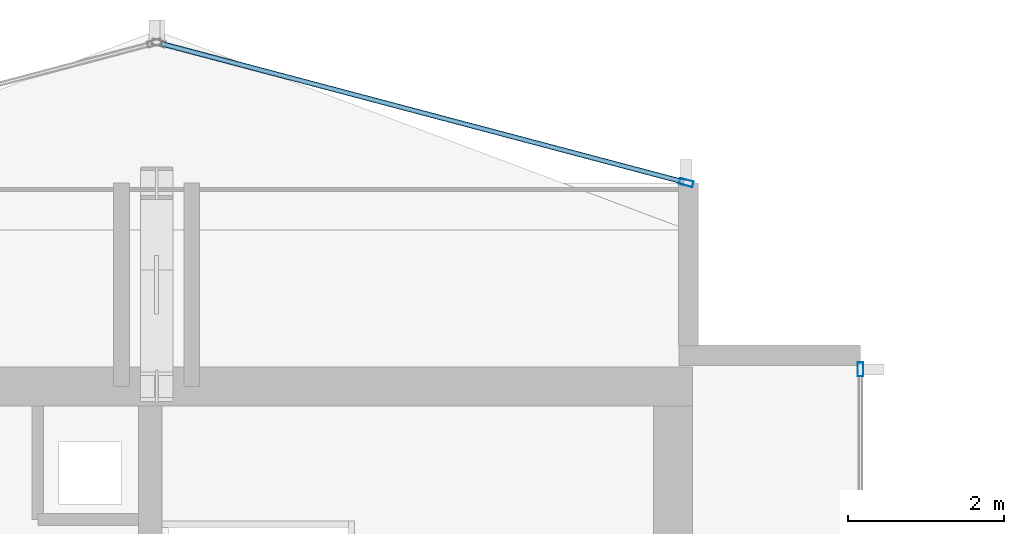
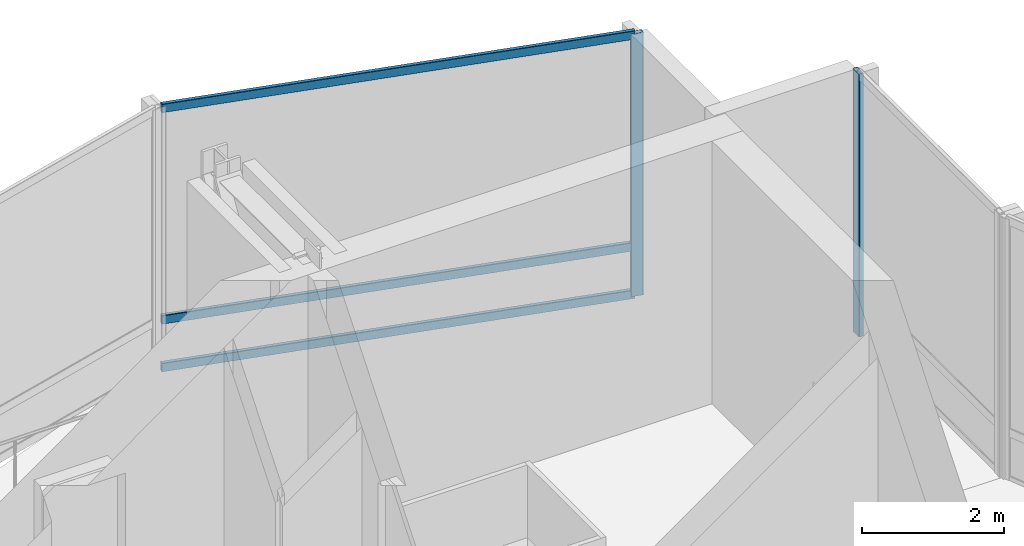
# One storey, part 18 of 30: 5 members, 2 elements without a shape of their own.
"""IFC4 building model written with IfcOpenShell, lengths in metres."""

from ifc_helpers import new_model, si_unit, direction, frame, origin, origin_2d, place, context, subcontext, project, spatial, hollow_rectangle, extrude, material, layer, layer_set, material_profile, profile_set, type_object, element, aggregate, save


model = new_model("IFC4")

# Units and contexts
model_context = context("Model", 3, precision=1e-05, world=origin(), true_north=direction((0.0, 1.0)))
body_context = subcontext(model_context, "Body", "Model", "MODEL_VIEW")
ifc_project = project(units=[si_unit("LENGTHUNIT", "METRE"), si_unit("AREAUNIT", "SQUARE_METRE"), si_unit("VOLUMEUNIT", "CUBIC_METRE"), si_unit("PLANEANGLEUNIT", "RADIAN"), si_unit("MASSUNIT", "GRAM", prefix="KILO")], contexts=[model_context])

# Site, building, storey
site_placement = place(None, origin())
site = spatial("IfcSite", under=ifc_project, at=site_placement, CompositionType="ELEMENT")
building_placement = place(site_placement, origin())
building = spatial("IfcBuilding", under=site, at=building_placement, Name="Solvaryn Broadcast Tower", CompositionType="ELEMENT")
storey_placement = place(building_placement, frame((0.0, 0.0, 196.39990234375)))
storey = spatial("IfcBuildingStorey", under=building, at=storey_placement, Name="L49", CompositionType="ELEMENT", Elevation=196.39990234375)

# Curtain wall, member
ifc_material_1 = material(Name="Aluminium and Terracotta Unitised Curtain Wall", Category="masonry")
ifc_layer = layer(ifc_material_1, 0.199951171875)
ifc_layer_set = layer_set([ifc_layer], Name="CW-SYS2-LOWMID")
curtain_wall_type = type_object("IfcCurtainWallType", Name="CW-SYS2-LOWMID", PredefinedType="NOTDEFINED", material=ifc_layer_set)
curtain_wall_1_placement = place(storey_placement, origin())
curtain_wall_1 = element("IfcCurtainWall", 1, at=curtain_wall_1_placement, inside=storey, type_object=curtain_wall_type, Name="L49 Curtain Wall IV", PredefinedType="NOTDEFINED")
ifc_material_2 = material(Name="Anodised Aluminium 6063-T6", Category="aluminium")
ifc_material_profile_1 = material_profile(ifc_material_2, hollow_rectangle(XDim=0.074951171875, YDim=0.179931640625, WallThickness=0.00390625, InnerFilletRadius=0.00390625, OuterFilletRadius=0.008056640625, at=origin_2d()))
ifc_profile_set_1 = profile_set([ifc_material_profile_1], Name="Anodised Aluminium 6063-T6")
member_type_1 = type_object("IfcMemberType", Name="CW-MUL-180", PredefinedType="MULLION", material=ifc_profile_set_1)
member_1_placement = place(storey_placement, frame((27.0, 42.6201171875, 0.0), z_axis=(0.0, 0.0, 1.0), x_axis=(1.0, 0.0, 0.0)))
member_1 = element("IfcMember", 2, at=member_1_placement, type_object=member_type_1, Name="CWS2 mullion 1", PredefinedType="MULLION", context=body_context, shape_type="SweptSolid", body=[
    extrude(hollow_rectangle(XDim=0.074951171875, YDim=0.179931640625, WallThickness=0.00390625, InnerFilletRadius=0.00390625, OuterFilletRadius=0.008056640625, at=origin_2d()), origin(), (0.0, 0.0, 1.0), 4.52001953125),
])
aggregate(curtain_wall_1, [member_1])

# Curtain wall, members
curtain_wall_2_placement = place(storey_placement, origin())
curtain_wall_2 = element("IfcCurtainWall", 3, at=curtain_wall_2_placement, inside=storey, type_object=curtain_wall_type, Name="L49 Curtain Wall NT1", PredefinedType="NOTDEFINED")
member_2_placement = place(storey_placement, frame((24.77099609375, 45.007568359375, 0.0), z_axis=(0.0, 0.0, 1.0), x_axis=(-0.25589256031, -0.966705227863, 0.0)))
member_2 = element("IfcMember", 4, at=member_2_placement, type_object=member_type_1, Name="CWS2 mullion 1", PredefinedType="MULLION", context=body_context, shape_type="SweptSolid", body=[
    extrude(hollow_rectangle(XDim=0.074951171875, YDim=0.179931640625, WallThickness=0.00390625, InnerFilletRadius=0.00390625, OuterFilletRadius=0.008056640625, at=origin_2d()), origin(), (0.0, 0.0, 1.0), 4.52001953125),
])
ifc_material_3 = material(Name="Anodised Aluminium 6063-T6", Category="aluminium")
ifc_material_profile_2 = material_profile(ifc_material_3, hollow_rectangle(XDim=0.06494140625, YDim=0.14990234375, WallThickness=0.00390625, InnerFilletRadius=0.00390625, OuterFilletRadius=0.008056640625, at=origin_2d()))
ifc_profile_set_2 = profile_set([ifc_material_profile_2], Name="Anodised Aluminium 6063-T6")
member_type_2 = type_object("IfcMemberType", Name="CW-TRN-150", PredefinedType="USERDEFINED", material=ifc_profile_set_2)
member_3_placement = place(storey_placement, frame((24.741943359375, 45.015380859375, 0.030029296875), z_axis=(-0.966703943301, 0.255897413051, 0.0), x_axis=(-0.255897413051, -0.966703943301, 0.0)))
member_3 = element("IfcMember", 5, at=member_3_placement, type_object=member_type_2, Name="CWS2 transom 1.1", ObjectType="TRANSOM", PredefinedType="USERDEFINED", context=body_context, shape_type="SweptSolid", body=[
    extrude(hollow_rectangle(XDim=0.06494140625, YDim=0.14990234375, WallThickness=0.00390625, InnerFilletRadius=0.00390625, OuterFilletRadius=0.008056640625, at=origin_2d()), origin(), (0.0, 0.0, 1.0), 6.9140625),
])
member_4_placement = place(storey_placement, frame((24.741943359375, 45.015380859375, 0.85009765625), z_axis=(-0.966703943301, 0.255897413051, 0.0), x_axis=(-0.255897413051, -0.966703943301, 0.0)))
member_4 = element("IfcMember", 6, at=member_4_placement, type_object=member_type_2, Name="CWS2 transom 1.2", ObjectType="TRANSOM", PredefinedType="USERDEFINED", context=body_context, shape_type="SweptSolid", body=[
    extrude(hollow_rectangle(XDim=0.06494140625, YDim=0.14990234375, WallThickness=0.00390625, InnerFilletRadius=0.00390625, OuterFilletRadius=0.008056640625, at=origin_2d()), origin(), (0.0, 0.0, 1.0), 6.9140625),
])
member_5_placement = place(storey_placement, frame((24.741943359375, 45.015380859375, 4.489990234375), z_axis=(-0.966703943301, 0.255897413051, 0.0), x_axis=(-0.255897413051, -0.966703943301, 0.0)))
member_5 = element("IfcMember", 7, at=member_5_placement, type_object=member_type_2, Name="CWS2 transom 1.3", ObjectType="TRANSOM", PredefinedType="USERDEFINED", context=body_context, shape_type="SweptSolid", body=[
    extrude(hollow_rectangle(XDim=0.06494140625, YDim=0.14990234375, WallThickness=0.00390625, InnerFilletRadius=0.00390625, OuterFilletRadius=0.008056640625, at=origin_2d()), origin(), (0.0, 0.0, 1.0), 6.9140625),
])
aggregate(curtain_wall_2, [member_2, member_3, member_4, member_5])

save(model, "model.ifc")
